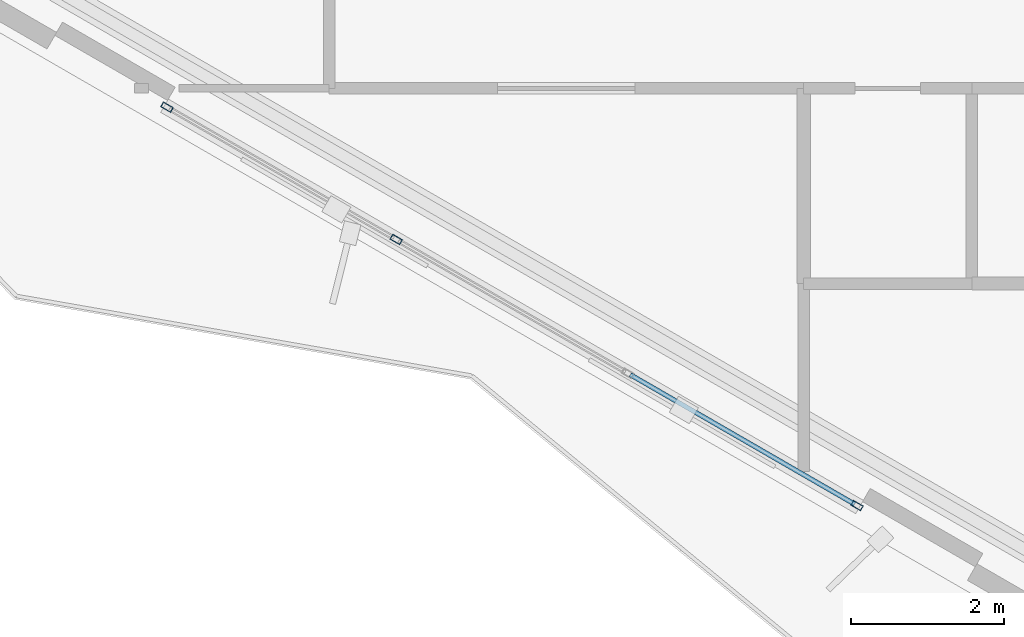
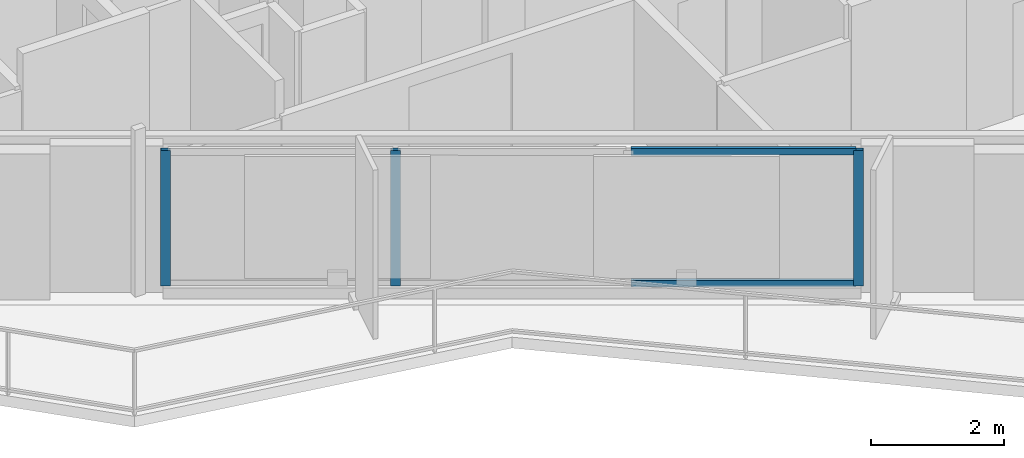
# One storey, part 2 of 21: 5 members, 1 element without a shape of its own.
"""IFC4 building model written with IfcOpenShell, lengths in metres."""

import ifcopenshell
import ifcopenshell.guid

model = None  # the IFC model being written
_history = None  # IfcOwnerHistory: only IFC2X3 demands one
_inside = {}  # id of a spatial element -> (the spatial element, [elements in it])
_under = {}  # id of a project, library or spatial element -> (it, [spatial elements below it])
_declared = {}  # id of a project -> (the project, [libraries it declares])
_typed = {}  # id of a type object -> (the type object, [elements of that type])
_made_of = {}  # id of a material, layer set ... -> (it, [elements and type objects made of it])


def new_model(schema):
    """Start an empty IFC model of exactly this schema.

    Asked for "IFC4X3", IfcOpenShell would pick the latest addendum, in which some entities
    have other attributes; the version numbers below select the first issue.
    IFC2X3 requires an IfcOwnerHistory on every rooted entity: one is made here for all.
    """
    global model, _history
    if schema == "IFC4X3":
        model = ifcopenshell.file(schema_version=(4, 3, 0, 0))
    else:
        model = ifcopenshell.file(schema=schema)
    _inside.clear()
    _under.clear()
    _declared.clear()
    _typed.clear()
    _made_of.clear()
    _history = None
    if model.schema == "IFC2X3":
        org = make("IfcOrganization", Name="unknown")
        user = make(
            "IfcPersonAndOrganization",
            ThePerson=make("IfcPerson", FamilyName="unknown"),
            TheOrganization=org,
        )
        app = make(
            "IfcApplication",
            ApplicationDeveloper=org,
            Version="unknown",
            ApplicationFullName="unknown",
            ApplicationIdentifier="unknown",
        )
        _history = make(
            "IfcOwnerHistory",
            OwningUser=user,
            OwningApplication=app,
            ChangeAction="ADDED",
            CreationDate=0,
        )
    return model


def make(cls, **values):
    """One entity of the class cls with the attributes given. An attribute that is None is left unset."""
    return model.create_entity(
        cls, **{name: value for name, value in values.items() if value is not None}
    )


def rooted(cls, **values):
    """An entity with a GlobalId (a new one), such as an element, a storey or a relation."""
    return make(cls, GlobalId=ifcopenshell.guid.new(), OwnerHistory=_history, **values)


def si_unit(unit_type, name, prefix=None):
    """IfcSIUnit, for example si_unit("LENGTHUNIT", "METRE", prefix="MILLI")."""
    return make("IfcSIUnit", UnitType=unit_type, Prefix=prefix, Name=name)


def assignment(units):
    """IfcUnitAssignment: the units of a project."""
    return None if units is None else make("IfcUnitAssignment", Units=units)


def point(xyz):
    """IfcCartesianPoint."""
    return None if xyz is None else make("IfcCartesianPoint", Coordinates=xyz)


def direction(xyz):
    """IfcDirection."""
    return None if xyz is None else make("IfcDirection", DirectionRatios=xyz)


def frame(location, z_axis=None, x_axis=None):
    """IfcAxis2Placement3D, a coordinate frame: its origin and axes. An axis left out is left unset."""
    return make(
        "IfcAxis2Placement3D",
        Location=point(location),
        Axis=direction(z_axis),
        RefDirection=direction(x_axis),
    )


def frame_2d(location, x_axis=None):
    """IfcAxis2Placement2D, a coordinate frame in the plane: its origin and x axis."""
    return make(
        "IfcAxis2Placement2D", Location=point(location), RefDirection=direction(x_axis)
    )


def origin():
    """The frame at (0, 0, 0) with its axes left unset."""
    return frame((0.0, 0.0, 0.0))


def origin_2d():
    """The frame at (0, 0) in the plane with its x axis left unset."""
    return frame_2d((0.0, 0.0))


def place(relative_to, where):
    """IfcLocalPlacement: puts the frame where relative to a parent placement (None: the world)."""
    return make(
        "IfcLocalPlacement", PlacementRelTo=relative_to, RelativePlacement=where
    )


def context(
    kind, dimensions, precision=None, world=None, true_north=None, identifier=None
):
    """IfcGeometricRepresentationContext, for example the 3D "Model" context."""
    return make(
        "IfcGeometricRepresentationContext",
        ContextIdentifier=identifier,
        ContextType=kind,
        CoordinateSpaceDimension=dimensions,
        Precision=precision,
        WorldCoordinateSystem=world,
        TrueNorth=true_north,
    )


def subcontext(parent, identifier, kind, view, scale=None):
    """IfcGeometricRepresentationSubContext, for example "Body" below "Model"."""
    return make(
        "IfcGeometricRepresentationSubContext",
        ContextIdentifier=identifier,
        ContextType=kind,
        ParentContext=parent,
        TargetScale=scale,
        TargetView=view,
    )


def project(units=None, contexts=None):
    """IfcProject with its units and contexts."""
    return rooted(
        "IfcProject",
        Name="project",
        RepresentationContexts=contexts,
        UnitsInContext=assignment(units),
    )


def spatial(cls, under=None, at=None, **own):
    """A site, building, storey or space (cls), placed at a placement, below another one or the project."""
    s = rooted(cls, ObjectPlacement=at, **own)
    if under is not None:
        _under.setdefault(under.id(), (under, []))[1].append(s)
    return s


def profile(cls, at=None, kind="AREA", **sizes):
    """A parametric profile (cls). Its sizes go by their IFC names, for example OverallWidth=200.0."""
    return make(cls, ProfileType=kind, Position=at, **sizes)


def hollow_rectangle(**sizes):
    """IfcRectangleHollowProfileDef."""
    return profile("IfcRectangleHollowProfileDef", **sizes)


def extrude(swept, where, along, depth):
    """IfcExtrudedAreaSolid: the profile swept, set in the frame where, extruded along a direction by depth."""
    return make(
        "IfcExtrudedAreaSolid",
        SweptArea=swept,
        Position=where,
        ExtrudedDirection=direction(along),
        Depth=depth,
    )


def shape(context_of_items, identifier, shape_type, items):
    """IfcShapeRepresentation: the items that make up one representation, for example the "Body"."""
    return make(
        "IfcShapeRepresentation",
        ContextOfItems=context_of_items,
        RepresentationIdentifier=identifier,
        RepresentationType=shape_type,
        Items=items,
    )


def material(Name=None, Category=None):
    """IfcMaterial."""
    return make("IfcMaterial", Name=Name, Category=Category)


def layer(
    of_material, thickness, ventilated=None, Name=None, Category=None, Priority=None
):
    """IfcMaterialLayer: one layer of a wall or slab, of a material (None: an air gap)."""
    return make(
        "IfcMaterialLayer",
        Material=of_material,
        LayerThickness=thickness,
        IsVentilated=ventilated,
        Name=Name,
        Category=Category,
        Priority=Priority,
    )


def layer_set(layers, Name=None):
    """IfcMaterialLayerSet."""
    return make("IfcMaterialLayerSet", MaterialLayers=layers, LayerSetName=Name)


def material_profile(
    of_material, cross_section, Name=None, Category=None, Priority=None
):
    """IfcMaterialProfile: a cross section and its material."""
    return make(
        "IfcMaterialProfile",
        Name=Name,
        Material=of_material,
        Profile=cross_section,
        Priority=Priority,
        Category=Category,
    )


def profile_set(profiles, Name=None, composite=None):
    """IfcMaterialProfileSet."""
    return make(
        "IfcMaterialProfileSet",
        Name=Name,
        MaterialProfiles=profiles,
        CompositeProfile=composite,
    )


def made_of(thing, what):
    """Note that an element or type object is made of a material, layer set ...; save() writes the relation."""
    if what is not None:
        _made_of.setdefault(what.id(), (what, []))[1].append(thing)
    return thing


def type_object(cls, material=None, **own):
    """A type object (cls), such as IfcWallType, which elements share."""
    return made_of(rooted(cls, **own), material)


def element(
    cls,
    number,
    at=None,
    inside=None,
    cuts=None,
    type_object=None,
    material=None,
    context=None,
    identifier="Body",
    shape_type=None,
    held_by="IfcProductDefinitionShape",
    body=None,
    shapes=None,
    **own,
):
    """One element of the class cls, such as IfcWall. Its Tag is "e" and its number.

    at: its placement. inside: the storey or other place that contains it. cuts: it is an
    opening in that element (IfcRelVoidsElement). A single representation is given by context,
    identifier, shape_type and body (its items); several are given by shapes. held_by: the class
    of the entity that holds the representations. save() writes the other relations.
    """
    e = rooted(cls, Tag="e%d" % number, ObjectPlacement=at, **own)
    if body is not None:
        shapes = [shape(context, identifier, shape_type, body)]
    if shapes is not None:
        e.Representation = make(held_by, Representations=shapes)
    if inside is not None:
        _inside.setdefault(inside.id(), (inside, []))[1].append(e)
    if cuts is not None:
        rooted(
            "IfcRelVoidsElement", RelatingBuildingElement=cuts, RelatedOpeningElement=e
        )
    if type_object is not None:
        _typed.setdefault(type_object.id(), (type_object, []))[1].append(e)
    return made_of(e, material)


def aggregate(whole, parts):
    """IfcRelAggregates: a whole, such as a stair, and the parts it consists of."""
    return rooted("IfcRelAggregates", RelatingObject=whole, RelatedObjects=parts)


def save(model, path):
    """Write the relations noted so far, then the file.

    IfcRelAggregates (storeys below a building ...), IfcRelContainedInSpatialStructure (elements
    in a storey), IfcRelDefinesByType, IfcRelAssociatesMaterial and IfcRelDeclares: one each for
    every whole, place, type object, material and project.
    """
    for whole, parts in _under.values():
        aggregate(whole, parts)
    for where, things in _inside.values():
        rooted(
            "IfcRelContainedInSpatialStructure",
            RelatedElements=things,
            RelatingStructure=where,
        )
    for kind, things in _typed.values():
        rooted("IfcRelDefinesByType", RelatedObjects=things, RelatingType=kind)
    for what, things in _made_of.values():
        rooted("IfcRelAssociatesMaterial", RelatedObjects=things, RelatingMaterial=what)
    for by, libraries in _declared.values():
        rooted("IfcRelDeclares", RelatingContext=by, RelatedDefinitions=libraries)
    model.write(path)


model = new_model("IFC4")

# Units and contexts
model_context = context("Model", 3, precision=1e-05, world=origin(), true_north=direction((0.0, 1.0)))
body_context = subcontext(model_context, "Body", "Model", "MODEL_VIEW")
ifc_project = project(units=[si_unit("LENGTHUNIT", "METRE"), si_unit("AREAUNIT", "SQUARE_METRE"), si_unit("VOLUMEUNIT", "CUBIC_METRE"), si_unit("PLANEANGLEUNIT", "RADIAN"), si_unit("MASSUNIT", "GRAM", prefix="KILO")], contexts=[model_context])

# Site, building, storey
site_placement = place(None, origin())
site = spatial("IfcSite", under=ifc_project, at=site_placement, CompositionType="ELEMENT")
building_placement = place(site_placement, origin())
building = spatial("IfcBuilding", under=site, at=building_placement, Name="Mersakhor Tower and Convention Hall", CompositionType="ELEMENT")
storey_placement = place(building_placement, frame((0.0, 0.0, 121.199951171875)))
storey = spatial("IfcBuildingStorey", under=building, at=storey_placement, Name="L33", CompositionType="ELEMENT", Elevation=121.199951171875)

# Curtain wall, members
ifc_material_1 = material(Name="Dark solar low-E aluminium curtain wall", Category="aluminium")
ifc_layer = layer(ifc_material_1, 0.169921875)
ifc_layer_set = layer_set([ifc_layer], Name="Dark solar low-E aluminium curtain wall")
curtain_wall_type = type_object("IfcCurtainWallType", Name="CW-SYS-02", PredefinedType="USERDEFINED", material=ifc_layer_set)
curtain_wall_placement = place(storey_placement, origin())
curtain_wall = element("IfcCurtainWall", 1, at=curtain_wall_placement, inside=storey, type_object=curtain_wall_type, Name="L33 Dark-Glass Curtain Wall F3-B2", ObjectType="CURTAIN WALL", PredefinedType="USERDEFINED")
ifc_material_2 = material(Name="Anodised aluminium EN AW-6063 T6", Category="aluminium")
ifc_material_profile_1 = material_profile(ifc_material_2, hollow_rectangle(XDim=0.074951171875, YDim=0.14990234375, WallThickness=0.00634765625, at=origin_2d()), Name="RHS 150x75x6.3")
ifc_profile_set_1 = profile_set([ifc_material_profile_1], Name="Anodised aluminium EN AW-6063 T6")
member_type_1 = type_object("IfcMemberType", Name="CWM-150x75", PredefinedType="MULLION", material=ifc_profile_set_1)
member_1_placement = place(storey_placement, frame((26.8984375, 12.69921875, 0.199951171875), z_axis=(0.0, 0.0, 1.0), x_axis=(-0.499990468363, -0.866030906807, 0.0)))
member_1 = element("IfcMember", 2, at=member_1_placement, type_object=member_type_1, Name="CW-02 mullion 1", PredefinedType="MULLION", context=body_context, shape_type="SweptSolid", body=[
    extrude(hollow_rectangle(XDim=0.074951171875, YDim=0.14990234375, WallThickness=0.00634765625, at=origin_2d()), origin(), (0.0, 0.0, 1.0), 2.47998046875),
])
member_2_placement = place(storey_placement, frame((20.876953125, 16.17578125, 0.199951171875), z_axis=(0.0, 0.0, 1.0), x_axis=(-0.499990468363, -0.866030906807, 0.0)))
member_2 = element("IfcMember", 3, at=member_2_placement, type_object=member_type_1, Name="CW-02 mullion 3", PredefinedType="MULLION", context=body_context, shape_type="SweptSolid", body=[
    extrude(hollow_rectangle(XDim=0.074951171875, YDim=0.14990234375, WallThickness=0.00634765625, at=origin_2d()), origin(), (0.0, 0.0, 1.0), 2.47998046875),
])
member_3_placement = place(storey_placement, frame((17.88232421875, 17.904541015625, 0.199951171875), z_axis=(0.0, 0.0, 1.0), x_axis=(-0.499990468363, -0.866030906807, 0.0)))
member_3 = element("IfcMember", 4, at=member_3_placement, type_object=member_type_1, Name="CW-02 mullion 4", PredefinedType="MULLION", context=body_context, shape_type="SweptSolid", body=[
    extrude(hollow_rectangle(XDim=0.074951171875, YDim=0.14990234375, WallThickness=0.00634765625, at=origin_2d()), origin(), (0.0, 0.0, 1.0), 2.47998046875),
])
ifc_material_3 = material(Name="Anodised aluminium EN AW-6063 T6", Category="aluminium")
ifc_material_profile_2 = material_profile(ifc_material_3, hollow_rectangle(XDim=0.06005859375, YDim=0.1201171875, WallThickness=0.0048828125, at=origin_2d()), Name="RHS 120x60x5")
ifc_profile_set_2 = profile_set([ifc_material_profile_2], Name="Anodised aluminium EN AW-6063 T6")
member_type_2 = type_object("IfcMemberType", Name="CWT-120x60", PredefinedType="USERDEFINED", material=ifc_profile_set_2)
member_4_placement = place(storey_placement, frame((26.865966796875, 12.718017578125, 0.22998046875), z_axis=(-0.866044963944, 0.49996611928, 0.0), x_axis=(-0.49996611928, -0.866044963944, 0.0)))
member_4 = element("IfcMember", 5, at=member_4_placement, type_object=member_type_2, Name="CW-02 transom 1.1", ObjectType="TRANSOM", PredefinedType="USERDEFINED", context=body_context, shape_type="SweptSolid", body=[
    extrude(hollow_rectangle(XDim=0.06005859375, YDim=0.1201171875, WallThickness=0.0048828125, at=origin_2d()), origin(), (0.0, 0.0, 1.0), 3.382568359375),
])
member_5_placement = place(storey_placement, frame((26.865966796875, 12.718017578125, 2.650146484375), z_axis=(-0.866044963944, 0.49996611928, 0.0), x_axis=(-0.49996611928, -0.866044963944, 0.0)))
member_5 = element("IfcMember", 6, at=member_5_placement, type_object=member_type_2, Name="CW-02 transom 1.2", ObjectType="TRANSOM", PredefinedType="USERDEFINED", context=body_context, shape_type="SweptSolid", body=[
    extrude(hollow_rectangle(XDim=0.06005859375, YDim=0.1201171875, WallThickness=0.0048828125, at=origin_2d()), origin(), (0.0, 0.0, 1.0), 3.382568359375),
])
aggregate(curtain_wall, [member_1, member_2, member_3, member_4, member_5])

save(model, "model.ifc")
